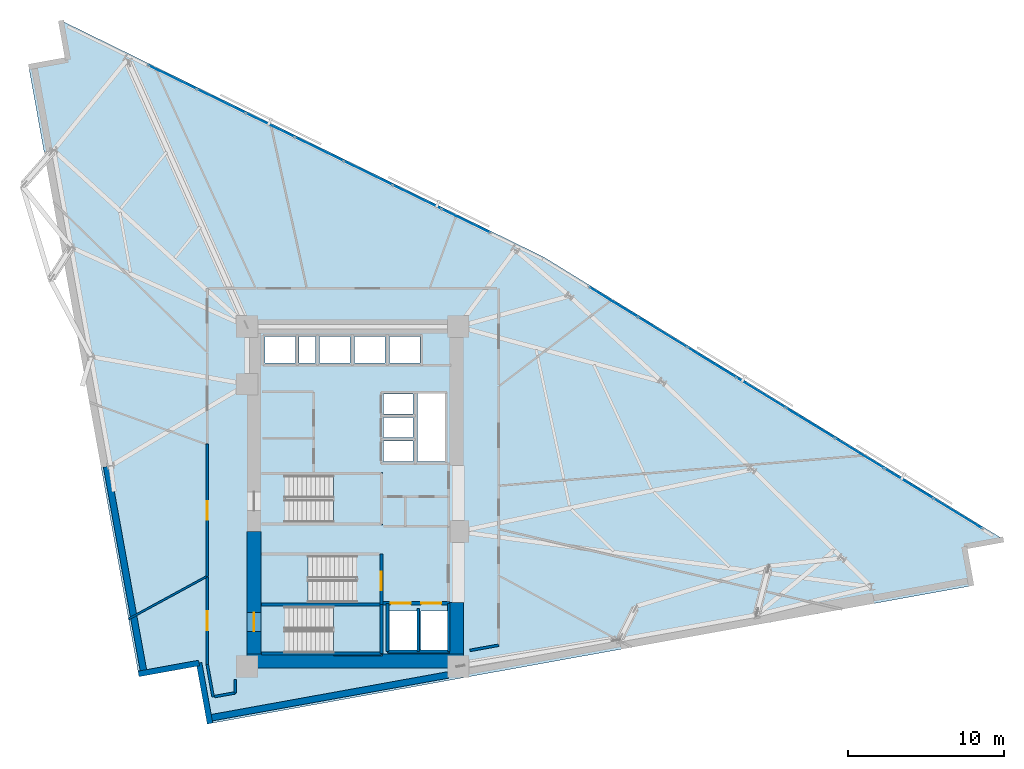
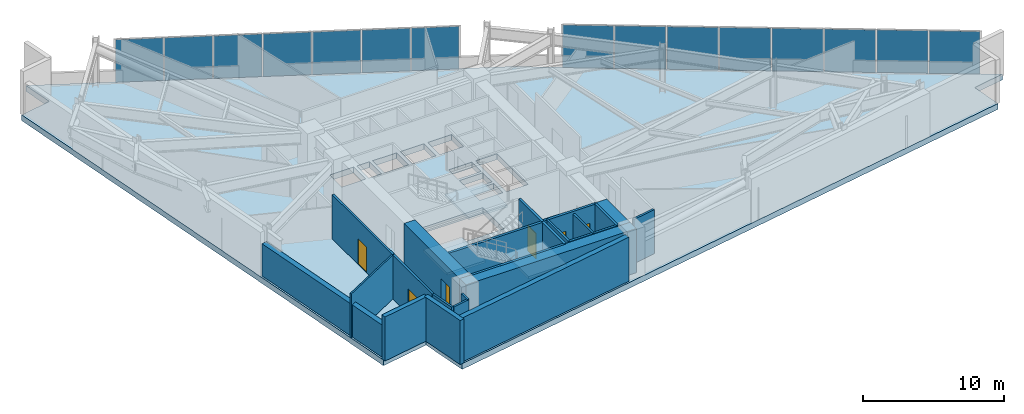
# One storey, part 12 of 19: 23 walls, 15 plates, 6 doors, 4 slabs, 6 openings, 5 elements without a shape of their own.
"""IFC4 building model written with IfcOpenShell, lengths in metres."""

from ifc_helpers import new_model, si_unit, direction, frame, frame_2d, origin, origin_2d, place, context, subcontext, project, spatial, polyline, rectangle, outline, extrude, material, layer, layer_set, type_object, element, fill, aggregate, save


model = new_model("IFC4")

# Units and contexts
model_context = context("Model", 3, precision=1e-05, world=origin(), true_north=direction((0.0, 1.0)))
body_context = subcontext(model_context, "Body", "Model", "MODEL_VIEW")
ifc_project = project(units=[si_unit("LENGTHUNIT", "METRE"), si_unit("AREAUNIT", "SQUARE_METRE"), si_unit("VOLUMEUNIT", "CUBIC_METRE"), si_unit("PLANEANGLEUNIT", "RADIAN"), si_unit("MASSUNIT", "GRAM", prefix="KILO")], contexts=[model_context])

# Site, building, storey
site_placement = place(None, origin())
site = spatial("IfcSite", under=ifc_project, at=site_placement, CompositionType="ELEMENT")
building_placement = place(site_placement, origin())
building = spatial("IfcBuilding", under=site, at=building_placement, Name="Narakoshi Arena Tower", CompositionType="ELEMENT")
storey_placement = place(building_placement, frame((0.0, 0.0, 128.10009765625)))
storey = spatial("IfcBuildingStorey", under=building, at=storey_placement, Name="L34", CompositionType="ELEMENT", Elevation=128.10009765625)

# Curtain wall, plates
ifc_material_1 = material(Name="Anodised bronze aluminium 6063-T6", Category="aluminium")
curtain_wall_type = type_object("IfcCurtainWallType", Name="CW-HYP-LOW", PredefinedType="NOTDEFINED", material=ifc_material_1)
curtain_wall_1_placement = place(storey_placement, origin())
curtain_wall_1 = element("IfcCurtainWall", 1, at=curtain_wall_1_placement, inside=storey, type_object=curtain_wall_type, Name="L34 Folded Hypotenuse Curtain Wall 1-1", PredefinedType="NOTDEFINED")
ifc_material_2 = material(Name="Bronze-tinted low-E laminated glass", Category="glass")
ifc_layer_1 = layer(ifc_material_2, 0.031982421875)
ifc_layer_set_1 = layer_set([ifc_layer_1], Name="Bronze-tinted low-E laminated glass")
plate_type = type_object("IfcPlateType", Name="PLT-GLZ-32", PredefinedType="CURTAIN_PANEL", material=ifc_layer_set_1)
plate_1_placement = place(storey_placement, frame((117.59912109375, 44.5087890625, 0.06494140625), z_axis=(0.0, 0.0, 1.0), x_axis=(-0.852112871394, 0.523358055641, 0.0)))
plate_1 = element("IfcPlate", 2, at=plate_1_placement, type_object=plate_type, Name="CW-01 panel 1.1", PredefinedType="CURTAIN_PANEL", context=body_context, shape_type="SweptSolid", body=[
    extrude(rectangle(XDim=3.594482421875, YDim=0.031982421875, at=origin_2d()), origin(), (0.0, 0.0, 1.0), 3.669921875),
])
plate_2_placement = place(storey_placement, frame((114.456298828125, 46.439208984375, 0.06494140625), z_axis=(0.0, 0.0, 1.0), x_axis=(-0.852112871394, 0.523358055641, 0.0)))
plate_2 = element("IfcPlate", 3, at=plate_2_placement, type_object=plate_type, Name="CW-01 panel 2.1", PredefinedType="CURTAIN_PANEL", context=body_context, shape_type="SweptSolid", body=[
    extrude(rectangle(XDim=3.632080078125, YDim=0.031982421875, at=origin_2d()), origin(), (0.0, 0.0, 1.0), 3.669921875),
])
plate_3_placement = place(storey_placement, frame((111.29736328125, 48.37939453125, 0.06494140625), z_axis=(0.0, 0.0, 1.0), x_axis=(-0.852112871394, 0.523358055641, 0.0)))
plate_3 = element("IfcPlate", 4, at=plate_3_placement, type_object=plate_type, Name="CW-01 panel 3.1", PredefinedType="CURTAIN_PANEL", context=body_context, shape_type="SweptSolid", body=[
    extrude(rectangle(XDim=3.632080078125, YDim=0.031982421875, at=origin_2d()), origin(), (0.0, 0.0, 1.0), 3.669921875),
])
plate_4_placement = place(storey_placement, frame((108.138427734375, 50.319580078125, 0.06494140625), z_axis=(0.0, 0.0, 1.0), x_axis=(-0.852112871394, 0.523358055641, 0.0)))
plate_4 = element("IfcPlate", 5, at=plate_4_placement, type_object=plate_type, Name="CW-01 panel 4.1", PredefinedType="CURTAIN_PANEL", context=body_context, shape_type="SweptSolid", body=[
    extrude(rectangle(XDim=3.632080078125, YDim=0.031982421875, at=origin_2d()), origin(), (0.0, 0.0, 1.0), 3.669921875),
])
plate_5_placement = place(storey_placement, frame((104.979736328125, 52.259521484375, 0.06494140625), z_axis=(0.0, 0.0, 1.0), x_axis=(-0.852112871394, 0.523358055641, 0.0)))
plate_5 = element("IfcPlate", 6, at=plate_5_placement, type_object=plate_type, Name="CW-01 panel 5.1", PredefinedType="CURTAIN_PANEL", context=body_context, shape_type="SweptSolid", body=[
    extrude(rectangle(XDim=3.632080078125, YDim=0.031982421875, at=origin_2d()), origin(), (0.0, 0.0, 1.0), 3.669921875),
])
plate_6_placement = place(storey_placement, frame((101.82080078125, 54.19970703125, 0.06494140625), z_axis=(0.0, 0.0, 1.0), x_axis=(-0.852112871394, 0.523358055641, 0.0)))
plate_6 = element("IfcPlate", 7, at=plate_6_placement, type_object=plate_type, Name="CW-01 panel 6.1", PredefinedType="CURTAIN_PANEL", context=body_context, shape_type="SweptSolid", body=[
    extrude(rectangle(XDim=3.632080078125, YDim=0.031982421875, at=origin_2d()), origin(), (0.0, 0.0, 1.0), 3.669921875),
])
plate_7_placement = place(storey_placement, frame((98.661865234375, 56.139892578125, 0.06494140625), z_axis=(0.0, 0.0, 1.0), x_axis=(-0.852112871394, 0.523358055641, 0.0)))
plate_7 = element("IfcPlate", 8, at=plate_7_placement, type_object=plate_type, Name="CW-01 panel 7.1", PredefinedType="CURTAIN_PANEL", context=body_context, shape_type="SweptSolid", body=[
    extrude(rectangle(XDim=3.632080078125, YDim=0.031982421875, at=origin_2d()), origin(), (0.0, 0.0, 1.0), 3.669921875),
])
plate_8_placement = place(storey_placement, frame((95.51904296875, 58.0703125, 0.06494140625), z_axis=(0.0, 0.0, 1.0), x_axis=(-0.852112871394, 0.523358055641, 0.0)))
plate_8 = element("IfcPlate", 9, at=plate_8_placement, type_object=plate_type, Name="CW-01 panel 8.1", PredefinedType="CURTAIN_PANEL", context=body_context, shape_type="SweptSolid", body=[
    extrude(rectangle(XDim=3.594482421875, YDim=0.031982421875, at=origin_2d()), origin(), (0.0, 0.0, 1.0), 3.669921875),
])
aggregate(curtain_wall_1, [plate_1, plate_2, plate_3, plate_4, plate_5, plate_6, plate_7, plate_8])

curtain_wall_2_placement = place(storey_placement, origin())
curtain_wall_2 = element("IfcCurtainWall", 10, at=curtain_wall_2_placement, inside=storey, type_object=curtain_wall_type, Name="L34 Folded Hypotenuse Curtain Wall 2-1", PredefinedType="NOTDEFINED")
plate_9_placement = place(storey_placement, frame((86.044677734375, 63.276611328125, 0.06494140625), z_axis=(0.0, 0.0, 1.0), x_axis=(-0.897995850784, 0.44000392268, 0.0)))
plate_9 = element("IfcPlate", 11, at=plate_9_placement, type_object=plate_type, Name="CW-01 panel 1.1", PredefinedType="CURTAIN_PANEL", context=body_context, shape_type="SweptSolid", body=[
    extrude(rectangle(XDim=3.38671875, YDim=0.031982421875, at=origin_2d()), origin(), (0.0, 0.0, 1.0), 3.669921875),
])
plate_10_placement = place(storey_placement, frame((82.919189453125, 64.80810546875, 0.06494140625), z_axis=(0.0, 0.0, 1.0), x_axis=(-0.897995850784, 0.44000392268, 0.0)))
plate_10 = element("IfcPlate", 12, at=plate_10_placement, type_object=plate_type, Name="CW-01 panel 2.1", PredefinedType="CURTAIN_PANEL", context=body_context, shape_type="SweptSolid", body=[
    extrude(rectangle(XDim=3.424072265625, YDim=0.031982421875, at=origin_2d()), origin(), (0.0, 0.0, 1.0), 3.669921875),
])
plate_11_placement = place(storey_placement, frame((79.777099609375, 66.34765625, 0.06494140625), z_axis=(0.0, 0.0, 1.0), x_axis=(-0.897995850784, 0.44000392268, 0.0)))
plate_11 = element("IfcPlate", 13, at=plate_11_placement, type_object=plate_type, Name="CW-01 panel 3.1", PredefinedType="CURTAIN_PANEL", context=body_context, shape_type="SweptSolid", body=[
    extrude(rectangle(XDim=3.424072265625, YDim=0.031982421875, at=origin_2d()), origin(), (0.0, 0.0, 1.0), 3.669921875),
])
plate_12_placement = place(storey_placement, frame((76.634765625, 67.887451171875, 0.06494140625), z_axis=(0.0, 0.0, 1.0), x_axis=(-0.897995850784, 0.44000392268, 0.0)))
plate_12 = element("IfcPlate", 14, at=plate_12_placement, type_object=plate_type, Name="CW-01 panel 4.1", PredefinedType="CURTAIN_PANEL", context=body_context, shape_type="SweptSolid", body=[
    extrude(rectangle(XDim=3.424072265625, YDim=0.031982421875, at=origin_2d()), origin(), (0.0, 0.0, 1.0), 3.669921875),
])
plate_13_placement = place(storey_placement, frame((73.49267578125, 69.427001953125, 0.06494140625), z_axis=(0.0, 0.0, 1.0), x_axis=(-0.897995850784, 0.44000392268, 0.0)))
plate_13 = element("IfcPlate", 15, at=plate_13_placement, type_object=plate_type, Name="CW-01 panel 5.1", PredefinedType="CURTAIN_PANEL", context=body_context, shape_type="SweptSolid", body=[
    extrude(rectangle(XDim=3.424072265625, YDim=0.031982421875, at=origin_2d()), origin(), (0.0, 0.0, 1.0), 3.669921875),
])
plate_14_placement = place(storey_placement, frame((70.350341796875, 70.966552734375, 0.06494140625), z_axis=(0.0, 0.0, 1.0), x_axis=(-0.897995850784, 0.44000392268, 0.0)))
plate_14 = element("IfcPlate", 16, at=plate_14_placement, type_object=plate_type, Name="CW-01 panel 6.1", PredefinedType="CURTAIN_PANEL", context=body_context, shape_type="SweptSolid", body=[
    extrude(rectangle(XDim=3.424072265625, YDim=0.031982421875, at=origin_2d()), origin(), (0.0, 0.0, 1.0), 3.669921875),
])
plate_15_placement = place(storey_placement, frame((67.224853515625, 72.498046875, 0.06494140625), z_axis=(0.0, 0.0, 1.0), x_axis=(-0.897995850784, 0.44000392268, 0.0)))
plate_15 = element("IfcPlate", 17, at=plate_15_placement, type_object=plate_type, Name="CW-01 panel 7.1", PredefinedType="CURTAIN_PANEL", context=body_context, shape_type="SweptSolid", body=[
    extrude(rectangle(XDim=3.38671875, YDim=0.031982421875, at=origin_2d()), origin(), (0.0, 0.0, 1.0), 3.669921875),
])
aggregate(curtain_wall_2, [plate_9, plate_10, plate_11, plate_12, plate_13, plate_14, plate_15])

# Stair, slab
ifc_material_3 = material(Name="Concrete C45/55", Category="concrete")
stair_type = type_object("IfcStairType", Name="STR-PLANT-420", PredefinedType="TWO_STRAIGHT_RUN_STAIR", material=ifc_material_3)
stair_1_placement = place(storey_placement, origin())
stair_1 = element("IfcStair", 18, at=stair_1_placement, inside=storey, type_object=stair_type, Name="L34 Core Escape Stair ST1", PredefinedType="TWO_STRAIGHT_RUN_STAIR")
ifc_layer_2 = layer(ifc_material_3, 0.18994140625)
ifc_layer_set_2 = layer_set([ifc_layer_2], Name="Concrete C45/55")
slab_type_1 = type_object("IfcSlabType", Name="SLB-LND-190", PredefinedType="LANDING", material=ifc_layer_set_2)
slab_1_placement = place(storey_placement, frame((0.0, 0.0, 1.909912109375)))
slab_1 = element("IfcSlab", 19, at=slab_1_placement, type_object=slab_type_1, Name="ST1 landing 1", PredefinedType="LANDING", context=body_context, shape_type="SweptSolid", body=[
    extrude(outline(polyline([(77.534912109375, 35.3701171875), (80.679931640625, 35.3701171875), (80.679931640625, 38.72998046875), (77.534912109375, 38.72998046875), (77.534912109375, 35.3701171875)])), origin(), (0.0, 0.0, 1.0), 0.18994140625),
])
aggregate(stair_1, [slab_1])

stair_2_placement = place(storey_placement, origin())
stair_2 = element("IfcStair", 20, at=stair_2_placement, inside=storey, type_object=stair_type, Name="L34 Core Escape Stair ST2", PredefinedType="TWO_STRAIGHT_RUN_STAIR")
slab_2_placement = place(storey_placement, frame((0.0, 0.0, 1.909912109375)))
slab_2 = element("IfcSlab", 21, at=slab_2_placement, type_object=slab_type_1, Name="ST2 landing 1", PredefinedType="LANDING", context=body_context, shape_type="SweptSolid", body=[
    extrude(outline(polyline([(72.77001953125, 38.6201171875), (75.9150390625, 38.6201171875), (75.9150390625, 41.97998046875), (72.77001953125, 41.97998046875), (72.77001953125, 38.6201171875)])), origin(), (0.0, 0.0, 1.0), 0.18994140625),
])
aggregate(stair_2, [slab_2])

stair_3_placement = place(storey_placement, origin())
stair_3 = element("IfcStair", 22, at=stair_3_placement, inside=storey, type_object=stair_type, Name="L34 Core Escape Stair ST3", PredefinedType="TWO_STRAIGHT_RUN_STAIR")
slab_3_placement = place(storey_placement, frame((0.0, 0.0, 1.909912109375)))
slab_3 = element("IfcSlab", 23, at=slab_3_placement, type_object=slab_type_1, Name="ST3 landing 1", PredefinedType="LANDING", context=body_context, shape_type="SweptSolid", body=[
    extrude(outline(polyline([(77.534912109375, 43.77001953125), (80.679931640625, 43.77001953125), (80.679931640625, 47.1298828125), (77.534912109375, 47.1298828125), (77.534912109375, 43.77001953125)])), origin(), (0.0, 0.0, 1.0), 0.18994140625),
])
aggregate(stair_3, [slab_3])

# Slab
ifc_material_4 = material(Name="Concrete C50/60", Category="concrete")
ifc_layer_3 = layer(ifc_material_4, 0.5)
ifc_layer_set_3 = layer_set([ifc_layer_3], Name="Concrete C50/60")
slab_type_2 = type_object("IfcSlabType", Name="SLB-XFER-500", PredefinedType="FLOOR", material=ifc_layer_set_3)
slab_4_placement = place(storey_placement, frame((0.0, 0.0, -0.5)))
element("IfcSlab", 24, at=slab_4_placement, inside=storey, type_object=slab_type_2, Name="L34 Structural Floor Slab", PredefinedType="FLOOR", context=body_context, shape_type="SweptSolid", body=[
    extrude(outline(polyline([(69.626953125, 31.03271484375), (118.466796875, 39.8642578125), (118.01025390625, 42.3896484375), (120.535400390625, 42.84619140625), (91.034912109375, 60.965087890625), (60.066162109375, 76.139404296875), (60.522705078125, 73.614013671875), (57.99755859375, 73.157470703125), (65.039306640625, 34.215087890625), (68.92431640625, 34.91748046875), (69.626953125, 31.03271484375)]), holes=[polyline([(80.5, 35.550048828125), (74.47998046875, 35.550048828125), (74.47998046875, 38.550048828125), (80.5, 38.550048828125), (80.5, 35.550048828125)]), polyline([(82.89990234375, 35.75), (81.14990234375, 35.75), (81.14990234375, 38.25), (82.89990234375, 38.25), (82.89990234375, 35.75)]), polyline([(83.14990234375, 35.75), (83.14990234375, 38.25), (84.89990234375, 38.25), (84.89990234375, 35.75), (83.14990234375, 35.75)]), polyline([(72.949951171875, 38.800048828125), (72.949951171875, 41.800048828125), (78.969970703125, 41.800048828125), (78.969970703125, 38.800048828125), (72.949951171875, 38.800048828125)]), polyline([(74.47998046875, 43.949951171875), (74.47998046875, 46.949951171875), (80.5, 46.949951171875), (80.5, 43.949951171875), (74.47998046875, 43.949951171875)]), polyline([(82.949951171875, 47.840087890625), (82.949951171875, 52.199951171875), (84.699951171875, 52.199951171875), (84.699951171875, 47.840087890625), (82.949951171875, 47.840087890625)]), polyline([(80.75, 47.85009765625), (80.75, 49.14990234375), (82.64990234375, 49.14990234375), (82.64990234375, 47.85009765625), (80.75, 47.85009765625)]), polyline([(80.75, 49.3701171875), (80.75, 50.669921875), (82.64990234375, 50.669921875), (82.64990234375, 49.3701171875), (80.75, 49.3701171875)]), polyline([(80.75, 50.889892578125), (80.75, 52.18994140625), (82.64990234375, 52.18994140625), (82.64990234375, 50.889892578125), (80.75, 50.889892578125)]), polyline([(73.14990234375, 54.14990234375), (73.14990234375, 55.85009765625), (75.10009765625, 55.85009765625), (75.10009765625, 54.14990234375), (73.14990234375, 54.14990234375)]), polyline([(75.35009765625, 54.14990234375), (75.35009765625, 55.85009765625), (76.39990234375, 55.85009765625), (76.39990234375, 54.14990234375), (75.35009765625, 54.14990234375)]), polyline([(76.64990234375, 54.14990234375), (76.64990234375, 55.85009765625), (78.60009765625, 55.85009765625), (78.60009765625, 54.14990234375), (76.64990234375, 54.14990234375)]), polyline([(78.89990234375, 54.14990234375), (78.89990234375, 55.85009765625), (80.85009765625, 55.85009765625), (80.85009765625, 54.14990234375), (78.89990234375, 54.14990234375)]), polyline([(81.14990234375, 54.14990234375), (81.14990234375, 55.85009765625), (83.10009765625, 55.85009765625), (83.10009765625, 54.14990234375), (81.14990234375, 54.14990234375)])]), origin(), (0.0, 0.0, 1.0), 0.5),
])

# Wall, opening, door
ifc_material_5 = material(Name="Concrete C60/75", Category="concrete")
ifc_layer_4 = layer(ifc_material_5, 0.89990234375)
ifc_layer_set_4 = layer_set([ifc_layer_4], Name="Concrete C60/75")
wall_type_1 = type_object("IfcWallType", Name="WL-CORE-900", PredefinedType="SHEAR", material=ifc_layer_set_4)
wall_1_placement = place(storey_placement, frame((72.449951171875, 35.5, -0.5), z_axis=(0.0, 0.0, 1.0), x_axis=(0.0, 1.0, 0.0)))
wall_1 = element("IfcWall", 25, at=wall_1_placement, inside=storey, type_object=wall_type_1, Name="L34 Central Core Shear Wall CW-APX-W", PredefinedType="SHEAR", context=body_context, shape_type="SweptSolid", body=[
    extrude(rectangle(XDim=7.85009765625, YDim=0.89990234375, at=frame_2d((3.925048828125, 0.0))), origin(), (0.0, 0.0, 1.0), 4.2998046875),
])
opening_1_placement = place(wall_1_placement, frame((1.449951171875, 0.0, 0.5)))
opening_1 = element("IfcOpeningElement", 26, at=opening_1_placement, cuts=wall_1, Name="Opening D-03", PredefinedType="OPENING", context=body_context, shape_type="SweptSolid", body=[
    extrude(rectangle(XDim=1.199951171875, YDim=2.199951171875, at=frame_2d((0.60009765625, 1.10009765625))), frame((0.0, 0.4599609375, 0.0), z_axis=(0.0, -1.0, 0.0), x_axis=(1.0, 0.0, 0.0)), (0.0, 0.0, 1.0), 0.919921875),
])
ifc_material_6 = material(Name="Painted galvanized steel", Category="steel")
door_type_1 = type_object("IfcDoorType", Name="DR-STR-1200", OperationType="NOTDEFINED", PredefinedType="USERDEFINED", material=ifc_material_6)
door_1_placement = place(opening_1_placement, frame((1.199951171875, 0.0, 0.0), z_axis=(0.0, 0.0, 1.0), x_axis=(-1.0, 0.0, 0.0)))
door_1 = element("IfcDoor", 27, at=door_1_placement, inside=storey, type_object=door_type_1, Name="DR-L34-001", ObjectType="EXITDOOR", OperationType="SINGLE_SWING_LEFT", OverallHeight=2.199951171875, OverallWidth=1.199951171875, PredefinedType="USERDEFINED", context=body_context, shape_type="SweptSolid", body=[
    extrude(rectangle(XDim=1.199951171875, YDim=2.199951171875, at=frame_2d((0.60009765625, 1.10009765625))), frame((0.0, 0.02490234375, 0.0), z_axis=(0.0, -1.0, 0.0), x_axis=(1.0, 0.0, 0.0)), (0.0, 0.0, 1.0), 0.050048828125),
])
fill(opening_1, door_1)

# Walls
wall_2_placement = place(storey_placement, frame((72.0, 35.050048828125, -0.5), z_axis=(0.0, 0.0, 1.0), x_axis=(1.0, 0.0, 0.0)))
element("IfcWall", 28, at=wall_2_placement, inside=storey, type_object=wall_type_1, Name="L34 Central Core Shear Wall CW-APX-S", PredefinedType="SHEAR", context=body_context, shape_type="SweptSolid", body=[
    extrude(rectangle(XDim=13.89990234375, YDim=0.89990234375, at=frame_2d((6.949951171875, 0.0))), origin(), (0.0, 0.0, 1.0), 4.2998046875),
])
wall_3_placement = place(storey_placement, frame((85.449951171875, 35.5, -0.5), z_axis=(0.0, 0.0, 1.0), x_axis=(0.0, 1.0, 0.0)))
element("IfcWall", 29, at=wall_3_placement, inside=storey, type_object=wall_type_1, Name="L34 Central Core Shear Wall CW-APX-E", PredefinedType="SHEAR", context=body_context, shape_type="SweptSolid", body=[
    extrude(rectangle(XDim=3.300048828125, YDim=0.89990234375, at=frame_2d((1.64990234375, 0.0))), origin(), (0.0, 0.0, 1.0), 4.2998046875),
])

# Wall, opening, door
ifc_material_7 = material(Name="Gypsum plasterboard fire-rated partition")
ifc_layer_5 = layer(ifc_material_7, 0.1650390625)
ifc_layer_set_5 = layer_set([ifc_layer_5], Name="Gypsum plasterboard fire-rated partition")
wall_type_2 = type_object("IfcWallType", Name="WL-CORR-165", PredefinedType="PARTITIONING", material=ifc_layer_set_5)
wall_4_placement = place(storey_placement, frame((69.449951171875, 48.9609375, 0.0), z_axis=(0.0, 0.0, 1.0), x_axis=(0.0, -1.0, 0.0)))
wall_4 = element("IfcWall", 30, at=wall_4_placement, inside=storey, type_object=wall_type_2, Name="L34 Corridor Partition 01-1", PredefinedType="PARTITIONING", context=body_context, shape_type="SweptSolid", body=[
    extrude(rectangle(XDim=8.505859375, YDim=0.1650390625, at=frame_2d((4.2529296875, 0.0))), origin(), (0.0, 0.0, 1.0), 3.7998046875),
])
opening_2_placement = place(wall_4_placement, frame((3.65283203125, 0.0, 0.0)))
opening_2 = element("IfcOpeningElement", 31, at=opening_2_placement, cuts=wall_4, Name="Opening D-03", PredefinedType="OPENING", context=body_context, shape_type="SweptSolid", body=[
    extrude(rectangle(XDim=1.199951171875, YDim=2.199951171875, at=frame_2d((0.60009765625, 1.10009765625))), frame((0.0, 0.092529296875, 0.0), z_axis=(0.0, -1.0, 0.0), x_axis=(1.0, 0.0, 0.0)), (0.0, 0.0, 1.0), 0.18505859375),
])
door_2_placement = place(opening_2_placement, frame((1.199951171875, 0.0, 0.0), z_axis=(0.0, 0.0, 1.0), x_axis=(-1.0, 0.0, 0.0)))
door_2 = element("IfcDoor", 32, at=door_2_placement, inside=storey, type_object=door_type_1, Name="DR-L34-015", ObjectType="EXITDOOR", OperationType="SINGLE_SWING_LEFT", OverallHeight=2.199951171875, OverallWidth=1.199951171875, PredefinedType="USERDEFINED", context=body_context, shape_type="SweptSolid", body=[
    extrude(rectangle(XDim=1.199951171875, YDim=2.199951171875, at=frame_2d((0.60009765625, 1.10009765625))), frame((0.0, 0.02490234375, 0.0), z_axis=(0.0, -1.0, 0.0), x_axis=(1.0, 0.0, 0.0)), (0.0, 0.0, 1.0), 0.050048828125),
])
fill(opening_2, door_2)

wall_5_placement = place(storey_placement, frame((69.449951171875, 40.427734375, 0.0), z_axis=(0.0, 0.0, 1.0), x_axis=(0.0, -1.0, 0.0)))
wall_5 = element("IfcWall", 33, at=wall_5_placement, inside=storey, type_object=wall_type_2, Name="L34 Corridor Partition 02-1", PredefinedType="PARTITIONING", context=body_context, shape_type="SweptSolid", body=[
    extrude(rectangle(XDim=5.60693359375, YDim=0.1650390625, at=frame_2d((2.803466796875, 0.0))), origin(), (0.0, 0.0, 1.0), 3.7998046875),
])
opening_3_placement = place(wall_5_placement, frame((2.203369140625, 0.0, 0.0)))
opening_3 = element("IfcOpeningElement", 34, at=opening_3_placement, cuts=wall_5, Name="Opening D-03", PredefinedType="OPENING", context=body_context, shape_type="SweptSolid", body=[
    extrude(rectangle(XDim=1.199951171875, YDim=2.199951171875, at=frame_2d((0.60009765625, 1.10009765625))), frame((0.0, 0.092529296875, 0.0), z_axis=(0.0, -1.0, 0.0), x_axis=(1.0, 0.0, 0.0)), (0.0, 0.0, 1.0), 0.18505859375),
])
door_3_placement = place(opening_3_placement, frame((1.199951171875, 0.0, 0.0), z_axis=(0.0, 0.0, 1.0), x_axis=(-1.0, 0.0, 0.0)))
door_3 = element("IfcDoor", 35, at=door_3_placement, inside=storey, type_object=door_type_1, Name="DR-L34-016", ObjectType="EXITDOOR", OperationType="SINGLE_SWING_RIGHT", OverallHeight=2.199951171875, OverallWidth=1.199951171875, PredefinedType="USERDEFINED", context=body_context, shape_type="SweptSolid", body=[
    extrude(rectangle(XDim=1.199951171875, YDim=2.199951171875, at=frame_2d((0.60009765625, 1.10009765625))), frame((0.0, 0.02490234375, 0.0), z_axis=(0.0, -1.0, 0.0), x_axis=(1.0, 0.0, 0.0)), (0.0, 0.0, 1.0), 0.050048828125),
])
fill(opening_3, door_3)

# Walls
wall_6_placement = place(storey_placement, frame((69.449951171875, 34.82080078125, 0.0), z_axis=(0.0, 0.0, 1.0), x_axis=(0.17789736369, -0.984049047554, 0.0)))
element("IfcWall", 36, at=wall_6_placement, inside=storey, type_object=wall_type_2, Name="L34 Corridor Partition 02-2", PredefinedType="PARTITIONING", context=body_context, shape_type="SweptSolid", body=[
    extrude(rectangle(XDim=2.109375, YDim=0.1650390625, at=frame_2d((1.0546875, 0.0))), origin(), (0.0, 0.0, 1.0), 3.7998046875),
])
wall_7_placement = place(storey_placement, frame((69.918212890625, 32.761962890625, 0.0), z_axis=(0.0, 0.0, 1.0), x_axis=(0.984022520329, 0.17804403805, 0.0)))
element("IfcWall", 37, at=wall_7_placement, inside=storey, type_object=wall_type_2, Name="L34 Corridor Partition 02-3", PredefinedType="PARTITIONING", context=body_context, shape_type="SweptSolid", body=[
    extrude(rectangle(XDim=1.353515625, YDim=0.1650390625, at=frame_2d((0.6767578125, 0.0))), origin(), (0.0, 0.0, 1.0), 3.7998046875),
])
wall_8_placement = place(storey_placement, frame((71.25, 33.0029296875, 0.0), z_axis=(0.0, 0.0, 1.0), x_axis=(0.0, 1.0, 0.0)))
element("IfcWall", 38, at=wall_8_placement, inside=storey, type_object=wall_type_2, Name="L34 Corridor Partition 02-4", PredefinedType="PARTITIONING", context=body_context, shape_type="SweptSolid", body=[
    extrude(rectangle(XDim=0.84716796875, YDim=0.1650390625, at=frame_2d((0.423583984375, 0.0))), origin(), (0.0, 0.0, 1.0), 3.7998046875),
])
wall_9_placement = place(storey_placement, frame((86.300048828125, 35.724365234375, 0.0), z_axis=(0.0, 0.0, 1.0), x_axis=(0.984043990378, 0.177925335465, 0.0)))
element("IfcWall", 39, at=wall_9_placement, inside=storey, type_object=wall_type_2, Name="L34 Corridor Partition 03-2", PredefinedType="PARTITIONING", context=body_context, shape_type="SweptSolid", body=[
    extrude(rectangle(XDim=1.8798828125, YDim=0.1650390625, at=frame_2d((0.93994140625, 0.0))), origin(), (0.0, 0.0, 1.0), 3.7998046875),
])
ifc_layer_6 = layer(ifc_material_7, 0.125)
ifc_layer_set_6 = layer_set([ifc_layer_6], Name="Gypsum plasterboard fire-rated partition")
wall_type_3 = type_object("IfcWallType", Name="WL-PART-125", PredefinedType="PARTITIONING", material=ifc_layer_set_6)
wall_10_placement = place(storey_placement, frame((69.39013671875, 40.455078125, 0.0), z_axis=(0.0, 0.0, 1.0), x_axis=(-0.87836010214, -0.477999509382, 0.0)))
element("IfcWall", 40, at=wall_10_placement, inside=storey, type_object=wall_type_3, Name="L34 Inter-Room Partition 01-02", PredefinedType="PARTITIONING", context=body_context, shape_type="SweptSolid", body=[
    extrude(rectangle(XDim=5.67919921875, YDim=0.125, at=frame_2d((2.839599609375, 0.0))), origin(), (0.0, 0.0, 1.0), 3.7998046875),
])
ifc_material_8 = material(Name="Precast concrete C45/55", Category="concrete")
ifc_layer_7 = layer(ifc_material_8, 0.419921875)
ifc_layer_set_7 = layer_set([ifc_layer_7], Name="Precast concrete C45/55")
wall_type_4 = type_object("IfcWallType", Name="WL-POD-420", PredefinedType="SOLIDWALL", material=ifc_layer_set_7)
wall_11_placement = place(storey_placement, frame((69.564697265625, 31.376953125, 0.0), z_axis=(0.0, 0.0, 1.0), x_axis=(0.98404091451, 0.177942346197, 0.0)))
element("IfcWall", 41, at=wall_11_placement, inside=storey, type_object=wall_type_4, Name="L34 Architectural Concrete Facade Wall LEGA-1", PredefinedType="SOLIDWALL", context=body_context, shape_type="SweptSolid", body=[
    extrude(rectangle(XDim=15.58349609375, YDim=0.419921875, at=frame_2d((7.791748046875, 0.0))), origin(), (0.0, 0.0, 1.0), 3.7998046875),
])
wall_12_placement = place(storey_placement, frame((62.989501953125, 47.517578125, 0.0), z_axis=(0.0, 0.0, 1.0), x_axis=(0.177948058674, -0.984039881516, 0.0)))
element("IfcWall", 42, at=wall_12_placement, inside=storey, type_object=wall_type_4, Name="L34 Architectural Concrete Facade Wall LEGB-3", PredefinedType="SOLIDWALL", context=body_context, shape_type="SweptSolid", body=[
    extrude(rectangle(XDim=13.455078125, YDim=0.419921875, at=frame_2d((6.7275390625, 0.0))), origin(), (0.0, 0.0, 1.0), 2.77685546875),
])
wall_13_placement = place(storey_placement, frame((65.039306640625, 34.215087890625, 0.0), z_axis=(0.0, 0.0, 1.0), x_axis=(0.984046535247, 0.177911260096, 0.0)))
element("IfcWall", 43, at=wall_13_placement, inside=storey, type_object=wall_type_4, Name="L34 Re-Entrant Corner Notch Wall NTA-1", PredefinedType="SOLIDWALL", context=body_context, shape_type="SweptSolid", body=[
    extrude(rectangle(XDim=3.947998046875, YDim=0.360107421875, at=frame_2d((1.97412109375, 0.0))), origin(), (0.0, 0.0, 1.0), 3.7998046875),
])
wall_14_placement = place(storey_placement, frame((68.92431640625, 34.91748046875, 0.0), z_axis=(0.0, 0.0, 1.0), x_axis=(0.177981971326, -0.984033748346, 0.0)))
element("IfcWall", 44, at=wall_14_placement, inside=storey, type_object=wall_type_4, Name="L34 Re-Entrant Corner Notch Wall NTA-2", PredefinedType="SOLIDWALL", context=body_context, shape_type="SweptSolid", body=[
    extrude(rectangle(XDim=3.94775390625, YDim=0.360107421875, at=frame_2d((1.973876953125, 0.0))), origin(), (0.0, 0.0, 1.0), 3.7998046875),
])
ifc_material_9 = material(Name="Concrete C40/50", Category="concrete")
ifc_layer_8 = layer(ifc_material_9, 0.280029296875)
ifc_layer_set_8 = layer_set([ifc_layer_8], Name="Concrete C40/50")
wall_type_5 = type_object("IfcWallType", Name="WL-RISER-280", PredefinedType="PLUMBINGWALL", material=ifc_layer_set_8)
wall_15_placement = place(storey_placement, frame((83.0, 35.64990234375, 0.0), z_axis=(0.0, 0.0, 1.0), x_axis=(0.0, 1.0, 0.0)))
element("IfcWall", 45, at=wall_15_placement, inside=storey, type_object=wall_type_5, Name="L34 Core Wall FF-DIV", PredefinedType="PLUMBINGWALL", context=body_context, shape_type="SweptSolid", body=[
    extrude(rectangle(XDim=2.75, YDim=0.159912109375, at=frame_2d((1.375, 0.0))), origin(), (0.0, 0.0, 1.0), 3.7998046875),
])
ifc_layer_9 = layer(ifc_material_4, 0.35009765625)
ifc_layer_set_9 = layer_set([ifc_layer_9], Name="Concrete C50/60")
wall_type_6 = type_object("IfcWallType", Name="WL-SHAFT-350", PredefinedType="SOLIDWALL", material=ifc_layer_set_9)
for number, where, z_axis, x_axis, name in (
    (46, (72.919921875, 35.52001953125, -0.5), (0.0, 0.0, 1.0), (1.0, 0.0, 0.0), "L34 Core Wall ST1-S"),
    (47, (72.919921875, 38.675048828125, -0.5), (0.0, 0.0, 1.0), (1.0, 0.0, 0.0), "L34 Core Wall ST12-DIV"),
):
    element("IfcWall", number, at=place(storey_placement, frame(where, z_axis=z_axis, x_axis=x_axis)), inside=storey, type_object=wall_type_6, Name=name, PredefinedType="SOLIDWALL", context=body_context, shape_type="SweptSolid", body=[
        extrude(rectangle(XDim=7.7001953125, YDim=0.199951171875, at=frame_2d((3.85009765625, 0.0))), origin(), (0.0, 0.0, 1.0), 4.2998046875),
    ])
wall_16_placement = place(storey_placement, frame((80.6201171875, 35.52001953125, -0.5), z_axis=(0.0, 0.0, 1.0), x_axis=(0.0, 1.0, 0.0)))
element("IfcWall", 48, at=wall_16_placement, inside=storey, type_object=wall_type_6, Name="L34 Core Wall ST1-E", PredefinedType="SOLIDWALL", context=body_context, shape_type="SweptSolid", body=[
    extrude(rectangle(XDim=3.155029296875, YDim=0.199951171875, at=frame_2d((1.57763671875, 0.0))), origin(), (0.0, 0.0, 1.0), 4.2998046875),
])

# Wall, opening, door
wall_17_placement = place(storey_placement, frame((80.6201171875, 38.675048828125, -0.5), z_axis=(0.0, 0.0, 1.0), x_axis=(0.0, 1.0, 0.0)))
wall_17 = element("IfcWall", 49, at=wall_17_placement, inside=storey, type_object=wall_type_6, Name="L34 Core Wall ST2-E", PredefinedType="SOLIDWALL", context=body_context, shape_type="SweptSolid", body=[
    extrude(rectangle(XDim=3.244873046875, YDim=0.199951171875, at=frame_2d((1.62255859375, 0.0))), origin(), (0.0, 0.0, 1.0), 4.2998046875),
])
opening_4_placement = place(wall_17_placement, frame((0.89990234375, 0.0, 0.5)))
opening_4 = element("IfcOpeningElement", 50, at=opening_4_placement, cuts=wall_17, Name="Opening D-03", PredefinedType="OPENING", context=body_context, shape_type="SweptSolid", body=[
    extrude(rectangle(XDim=1.199951171875, YDim=2.199951171875, at=frame_2d((0.60009765625, 1.10009765625))), frame((0.0, 0.10986328125, 0.0), z_axis=(0.0, -1.0, 0.0), x_axis=(1.0, 0.0, 0.0)), (0.0, 0.0, 1.0), 0.219970703125),
])
door_4_placement = place(opening_4_placement, origin())
door_4 = element("IfcDoor", 51, at=door_4_placement, inside=storey, type_object=door_type_1, Name="DR-L34-002", ObjectType="EXITDOOR", OperationType="SINGLE_SWING_RIGHT", OverallHeight=2.199951171875, OverallWidth=1.199951171875, PredefinedType="USERDEFINED", context=body_context, shape_type="SweptSolid", body=[
    extrude(rectangle(XDim=1.199951171875, YDim=2.199951171875, at=frame_2d((0.60009765625, 1.10009765625))), frame((0.0, 0.02490234375, 0.0), z_axis=(0.0, -1.0, 0.0), x_axis=(1.0, 0.0, 0.0)), (0.0, 0.0, 1.0), 0.050048828125),
])
fill(opening_4, door_4)

# Wall, openings, doors
wall_18_placement = place(storey_placement, frame((80.719970703125, 38.75, 0.0), z_axis=(0.0, 0.0, 1.0), x_axis=(1.0, 0.0, 0.0)))
wall_18 = element("IfcWall", 52, at=wall_18_placement, inside=storey, type_object=wall_type_6, Name="L34 Core Wall FF-N", PredefinedType="SOLIDWALL", context=body_context, shape_type="SweptSolid", body=[
    extrude(rectangle(XDim=4.260009765625, YDim=0.199951171875, at=frame_2d((2.1298828125, 0.0))), origin(), (0.0, 0.0, 1.0), 3.7998046875),
])
opening_5_placement = place(wall_18_placement, frame((0.5, 0.0, 0.0)))
opening_5 = element("IfcOpeningElement", 53, at=opening_5_placement, cuts=wall_18, Name="Opening LD-02", PredefinedType="OPENING", context=body_context, shape_type="SweptSolid", body=[
    extrude(rectangle(XDim=1.300048828125, YDim=2.300048828125, at=frame_2d((0.64990234375, 1.14990234375))), frame((0.0, 0.10986328125, 0.0), z_axis=(0.0, -1.0, 0.0), x_axis=(1.0, 0.0, 0.0)), (0.0, 0.0, 1.0), 0.219970703125),
])
opening_6_placement = place(wall_18_placement, frame((2.449951171875, 0.0, 0.0)))
opening_6 = element("IfcOpeningElement", 54, at=opening_6_placement, cuts=wall_18, Name="Opening LD-02", PredefinedType="OPENING", context=body_context, shape_type="SweptSolid", body=[
    extrude(rectangle(XDim=1.300048828125, YDim=2.300048828125, at=frame_2d((0.64990234375, 1.14990234375))), frame((0.0, 0.10986328125, 0.0), z_axis=(0.0, -1.0, 0.0), x_axis=(1.0, 0.0, 0.0)), (0.0, 0.0, 1.0), 0.219970703125),
])
ifc_material_10 = material(Name="Brushed bronze stainless steel", Category="steel")
door_type_2 = type_object("IfcDoorType", Name="DR-LFT-1300", OperationType="DOUBLE_DOOR_SLIDING", PredefinedType="DOOR", material=ifc_material_10)
door_5_placement = place(opening_5_placement, origin())
door_5 = element("IfcDoor", 55, at=door_5_placement, inside=storey, type_object=door_type_2, Name="DR-L34-003", OperationType="DOUBLE_DOOR_SLIDING", OverallHeight=2.300048828125, OverallWidth=1.300048828125, PredefinedType="DOOR", context=body_context, shape_type="SweptSolid", body=[
    extrude(rectangle(XDim=1.300048828125, YDim=2.300048828125, at=frame_2d((0.64990234375, 1.14990234375))), frame((0.0, 0.02490234375, 0.0), z_axis=(0.0, -1.0, 0.0), x_axis=(1.0, 0.0, 0.0)), (0.0, 0.0, 1.0), 0.050048828125),
])
fill(opening_5, door_5)
door_6_placement = place(opening_6_placement, origin())
door_6 = element("IfcDoor", 56, at=door_6_placement, inside=storey, type_object=door_type_2, Name="DR-L34-004", OperationType="DOUBLE_DOOR_SLIDING", OverallHeight=2.300048828125, OverallWidth=1.300048828125, PredefinedType="DOOR", context=body_context, shape_type="SweptSolid", body=[
    extrude(rectangle(XDim=1.300048828125, YDim=2.300048828125, at=frame_2d((0.64990234375, 1.14990234375))), frame((0.0, 0.02490234375, 0.0), z_axis=(0.0, -1.0, 0.0), x_axis=(1.0, 0.0, 0.0)), (0.0, 0.0, 1.0), 0.050048828125),
])
fill(opening_6, door_6)

# Walls
for number, where, z_axis, x_axis, name in (
    (57, (84.949951171875, 35.64990234375, 0.0), (0.0, 0.0, 1.0), (0.0, 1.0, 0.0), "L34 Core Wall FF-E"),
    (58, (81.02001953125, 35.64990234375, 0.0), (0.0, 0.0, 1.0), (0.0, 1.0, 0.0), "L34 Core Wall FF-W"),
):
    element("IfcWall", number, at=place(storey_placement, frame(where, z_axis=z_axis, x_axis=x_axis)), inside=storey, type_object=wall_type_6, Name=name, PredefinedType="SOLIDWALL", context=body_context, shape_type="SweptSolid", body=[
        extrude(rectangle(XDim=3.10009765625, YDim=0.179931640625, at=frame_2d((1.550048828125, 0.0))), origin(), (0.0, 0.0, 1.0), 3.7998046875),
    ])
wall_19_placement = place(storey_placement, frame((81.02001953125, 35.64990234375, 0.0), z_axis=(0.0, 0.0, 1.0), x_axis=(1.0, 0.0, 0.0)))
element("IfcWall", 59, at=wall_19_placement, inside=storey, type_object=wall_type_6, Name="L34 Core Wall FF-S", PredefinedType="SOLIDWALL", context=body_context, shape_type="SweptSolid", body=[
    extrude(rectangle(XDim=3.929931640625, YDim=0.179931640625, at=frame_2d((1.96484375, 0.0))), origin(), (0.0, 0.0, 1.0), 3.7998046875),
])

save(model, "model.ifc")
